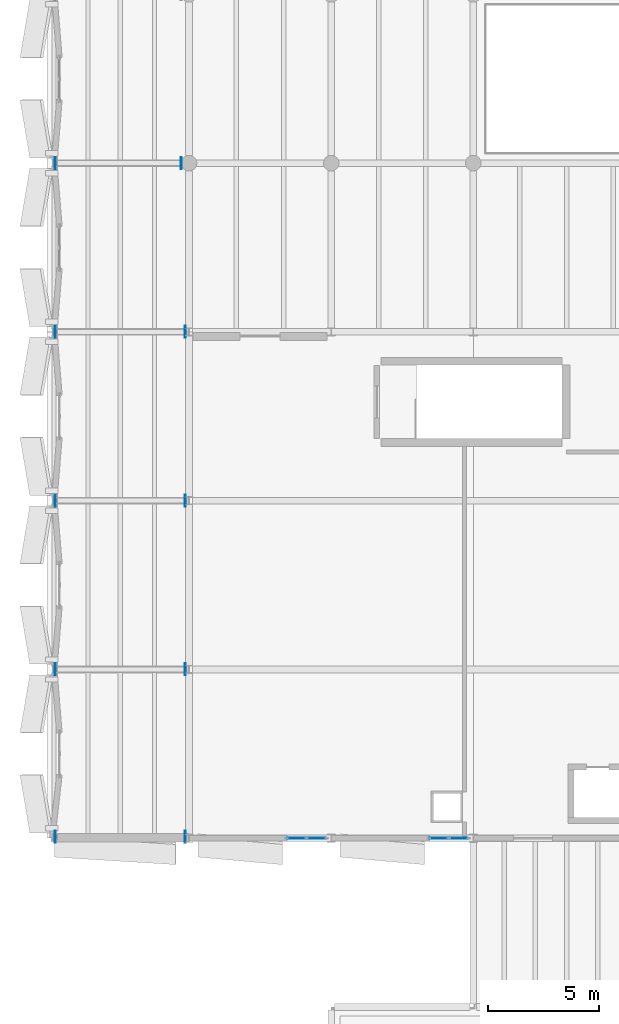
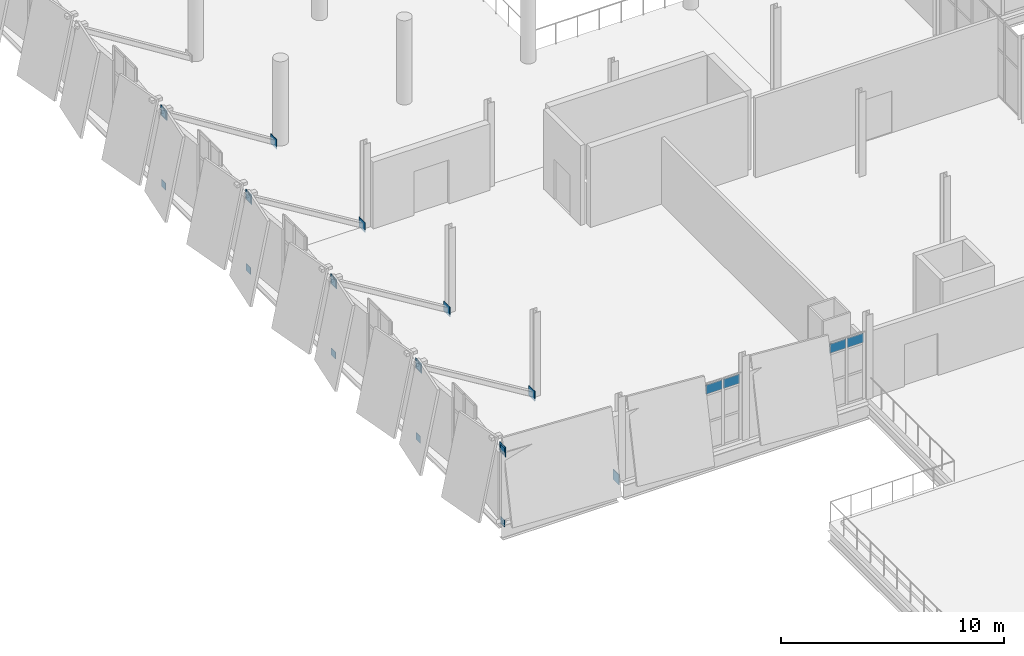
# One storey, part 55 of 74: 24 plates, 2 elements without a shape of their own.
"""IFC4 building model written with IfcOpenShell, lengths in metres."""

from ifc_helpers import new_model, si_unit, direction, frame, origin, origin_2d, place, context, subcontext, project, spatial, rectangle, extrude, material, layer, layer_set, type_object, element, aggregate, save


model = new_model("IFC4")

# Units and contexts
model_context = context("Model", 3, precision=1e-05, world=origin(), true_north=direction((0.0, 1.0)))
body_context = subcontext(model_context, "Body", "Model", "MODEL_VIEW")
ifc_project = project(units=[si_unit("LENGTHUNIT", "METRE"), si_unit("AREAUNIT", "SQUARE_METRE"), si_unit("VOLUMEUNIT", "CUBIC_METRE"), si_unit("PLANEANGLEUNIT", "RADIAN"), si_unit("MASSUNIT", "GRAM", prefix="KILO")], contexts=[model_context])

# Site, building, storey
site_placement = place(None, origin())
site = spatial("IfcSite", under=ifc_project, at=site_placement, CompositionType="ELEMENT")
building_placement = place(site_placement, origin())
building = spatial("IfcBuilding", under=site, at=building_placement, Name="Shengluoqiao Park Theatre", CompositionType="ELEMENT")
storey_placement = place(building_placement, frame((0.0, 0.0, 14.60009765625)))
storey = spatial("IfcBuildingStorey", under=building, at=storey_placement, Name="L03", CompositionType="ELEMENT", Elevation=14.60009765625)

# Curtain wall, plates
ifc_material_1 = material(Name="Aluminium 6063-T6", Category="aluminium")
curtain_wall_type = type_object("IfcCurtainWallType", Name="ENV-CW-STUDIO", PredefinedType="NOTDEFINED", material=ifc_material_1)
curtain_wall_1_placement = place(storey_placement, origin())
curtain_wall_1 = element("IfcCurtainWall", 1, at=curtain_wall_1_placement, inside=storey, type_object=curtain_wall_type, Name="L03 Curtain Wall CWX-L03-0030", PredefinedType="NOTDEFINED")
ifc_material_2 = material(Name="Insulated glass", Category="glass")
ifc_layer_1 = layer(ifc_material_2, 0.0380859375, Name="Insulated glass")
ifc_layer_set_1 = layer_set([ifc_layer_1], Name="Insulated glass")
plate_type_1 = type_object("IfcPlateType", Name="ENV-GLZ-GL-38", PredefinedType="CURTAIN_PANEL", material=ifc_layer_set_1)
plate_1_placement = place(storey_placement, frame((11.245849609375, 30.39990234375, 3.079833984375), z_axis=(0.0, 0.0, 1.0), x_axis=(1.0, 0.0, 0.0)))
plate_1 = element("IfcPlate", 2, at=plate_1_placement, type_object=plate_type_1, Name="CW-02 panel 1.3", PredefinedType="CURTAIN_PANEL", context=body_context, shape_type="SweptSolid", body=[
    extrude(rectangle(XDim=0.83740234375, YDim=0.0380859375, at=origin_2d()), origin(), (0.0, 0.0, 1.0), 0.498046875),
])
plate_2_placement = place(storey_placement, frame((12.143310546875, 30.39990234375, 3.079833984375), z_axis=(0.0, 0.0, 1.0), x_axis=(1.0, 0.0, 0.0)))
plate_2 = element("IfcPlate", 3, at=plate_2_placement, type_object=plate_type_1, Name="CW-02 panel 2.3", PredefinedType="CURTAIN_PANEL", context=body_context, shape_type="SweptSolid", body=[
    extrude(rectangle(XDim=0.83740234375, YDim=0.0380859375, at=origin_2d()), origin(), (0.0, 0.0, 1.0), 0.498046875),
])
aggregate(curtain_wall_1, [plate_1, plate_2])

curtain_wall_2_placement = place(storey_placement, origin())
curtain_wall_2 = element("IfcCurtainWall", 4, at=curtain_wall_2_placement, inside=storey, type_object=curtain_wall_type, Name="L03 Curtain Wall CWX-L03-0031", PredefinedType="NOTDEFINED")
plate_3_placement = place(storey_placement, frame((17.645751953125, 30.39990234375, 3.079833984375), z_axis=(0.0, 0.0, 1.0), x_axis=(1.0, 0.0, 0.0)))
plate_3 = element("IfcPlate", 5, at=plate_3_placement, type_object=plate_type_1, Name="CW-02 panel 1.3", PredefinedType="CURTAIN_PANEL", context=body_context, shape_type="SweptSolid", body=[
    extrude(rectangle(XDim=0.83740234375, YDim=0.0380859375, at=origin_2d()), origin(), (0.0, 0.0, 1.0), 0.498046875),
])
plate_4_placement = place(storey_placement, frame((18.543212890625, 30.39990234375, 3.079833984375), z_axis=(0.0, 0.0, 1.0), x_axis=(1.0, 0.0, 0.0)))
plate_4 = element("IfcPlate", 6, at=plate_4_placement, type_object=plate_type_1, Name="CW-02 panel 2.3", PredefinedType="CURTAIN_PANEL", context=body_context, shape_type="SweptSolid", body=[
    extrude(rectangle(XDim=0.83740234375, YDim=0.0380859375, at=origin_2d()), origin(), (0.0, 0.0, 1.0), 0.498046875),
])
aggregate(curtain_wall_2, [plate_3, plate_4])

# Plates
ifc_material_3 = material(Name="Steel Q390", Category="steel")
ifc_layer_2 = layer(ifc_material_3, 0.02392578125, Name="Steel Q390")
ifc_layer_set_2 = layer_set([ifc_layer_2], Name="Steel Q390")
plate_type_2 = type_object("IfcPlateType", Name="STR-PLT-EC-360", PredefinedType="SHEET", material=ifc_layer_set_2)
for number, where, z_axis, x_axis, name in (
    (7, (0.360107421875, 30.4599609375, -0.44091796875), (0.0, 0.0, 1.0), (1.0, 0.0, 0.0), "Hollow Tube End Cap Plate 00046"),
    (8, (0.360107421875, 30.4599609375, 3.48095703125), (0.0, 0.0, 1.0), (1.0, 0.0, 0.0), "Hollow Tube End Cap Plate 00047"),
    (9, (0.360107421875, 38.0, -0.44091796875), (0.0, 0.0, 1.0), (1.0, 0.0, 0.0), "Hollow Tube End Cap Plate 00058"),
    (10, (0.360107421875, 38.0, 3.48095703125), (0.0, 0.0, 1.0), (1.0, 0.0, 0.0), "Hollow Tube End Cap Plate 00059"),
    (11, (0.360107421875, 45.60009765625, -0.44091796875), (0.0, 0.0, 1.0), (1.0, 0.0, 0.0), "Hollow Tube End Cap Plate 00070"),
    (12, (0.360107421875, 45.60009765625, 3.48095703125), (0.0, 0.0, 1.0), (1.0, 0.0, 0.0), "Hollow Tube End Cap Plate 00071"),
    (13, (0.360107421875, 53.199951171875, -0.44091796875), (0.0, 0.0, 1.0), (1.0, 0.0, 0.0), "Hollow Tube End Cap Plate 00082"),
    (14, (0.360107421875, 53.199951171875, 3.48095703125), (0.0, 0.0, 1.0), (1.0, 0.0, 0.0), "Hollow Tube End Cap Plate 00083"),
    (15, (0.360107421875, 60.800048828125, -0.44091796875), (0.0, 0.0, 1.0), (1.0, 0.0, 0.0), "Hollow Tube End Cap Plate 00094"),
    (16, (0.360107421875, 60.800048828125, 3.48095703125), (0.0, 0.0, 1.0), (1.0, 0.0, 0.0), "Hollow Tube End Cap Plate 00095"),
):
    element("IfcPlate", number, at=place(storey_placement, frame(where, z_axis=z_axis, x_axis=x_axis)), inside=storey, type_object=plate_type_2, Name=name, PredefinedType="SHEET", context=body_context, shape_type="SweptSolid", body=[
        extrude(rectangle(XDim=0.02392578125, YDim=0.3798828125, at=origin_2d()), origin(), (0.0, 0.0, 1.0), 0.3798828125),
    ])
ifc_layer_3 = layer(ifc_material_3, 0.033935546875, Name="Steel Q390")
ifc_layer_set_3 = layer_set([ifc_layer_3], Name="Steel Q390")
plate_type_3 = type_object("IfcPlateType", Name="STR-PLT-EC-540", PredefinedType="SHEET", material=ifc_layer_set_3)
for number, where, z_axis, x_axis, name in (
    (17, (6.22900390625, 30.4599609375, -0.142822265625), (0.0, 0.0, 1.0), (-1.0, 0.0, 0.0), "Hollow Tube End Cap Plate 00044"),
    (18, (0.3720703125, 30.4599609375, 3.422607421875), (0.0, 0.0, 1.0), (-1.0, 0.0, 0.0), "Hollow Tube End Cap Plate 00045"),
    (19, (6.22900390625, 38.0, -0.142822265625), (0.0, 0.0, 1.0), (-1.0, 0.0, 0.0), "Hollow Tube End Cap Plate 00056"),
    (20, (0.3720703125, 38.0, 3.422607421875), (0.0, 0.0, 1.0), (-1.0, 0.0, 0.0), "Hollow Tube End Cap Plate 00057"),
    (21, (6.22900390625, 45.60009765625, -0.142822265625), (0.0, 0.0, 1.0), (-1.0, 0.0, 0.0), "Hollow Tube End Cap Plate 00068"),
    (22, (0.3720703125, 45.60009765625, 3.422607421875), (0.0, 0.0, 1.0), (-1.0, 0.0, 0.0), "Hollow Tube End Cap Plate 00069"),
    (23, (6.22900390625, 53.199951171875, -0.142822265625), (0.0, 0.0, 1.0), (-1.0, 0.0, 0.0), "Hollow Tube End Cap Plate 00080"),
    (24, (0.3720703125, 53.199951171875, 3.422607421875), (0.0, 0.0, 1.0), (-1.0, 0.0, 0.0), "Hollow Tube End Cap Plate 00081"),
    (25, (6.052978515625, 60.800048828125, -0.142822265625), (0.0, 0.0, 1.0), (-1.0, 0.0, 0.0), "Hollow Tube End Cap Plate 00092"),
    (26, (0.371826171875, 60.800048828125, 3.42236328125), (0.0, 0.0, 1.0), (-1.0, 0.0, 0.0), "Hollow Tube End Cap Plate 00093"),
):
    element("IfcPlate", number, at=place(storey_placement, frame(where, z_axis=z_axis, x_axis=x_axis)), inside=storey, type_object=plate_type_3, Name=name, PredefinedType="SHEET", context=body_context, shape_type="SweptSolid", body=[
        extrude(rectangle(XDim=0.033935546875, YDim=0.5400390625, at=origin_2d()), origin(), (0.0, 0.0, 1.0), 0.5400390625),
    ])

save(model, "model.ifc")
